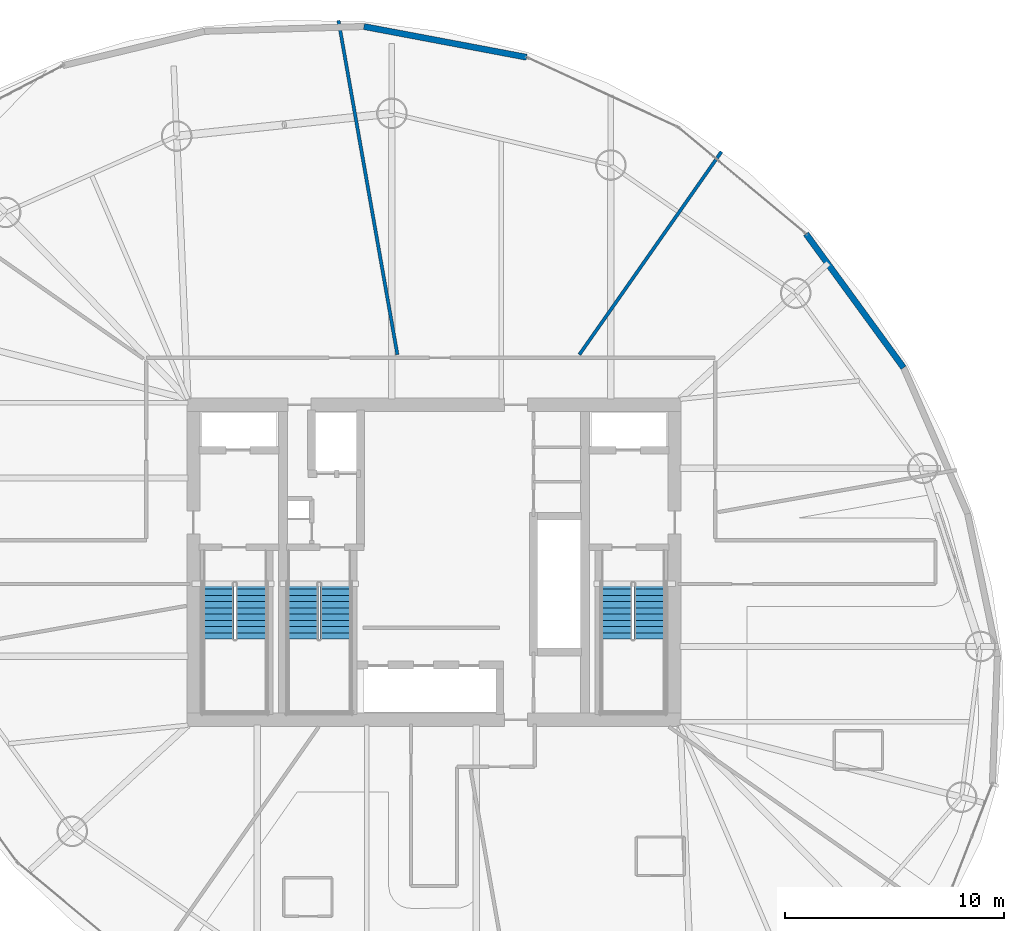
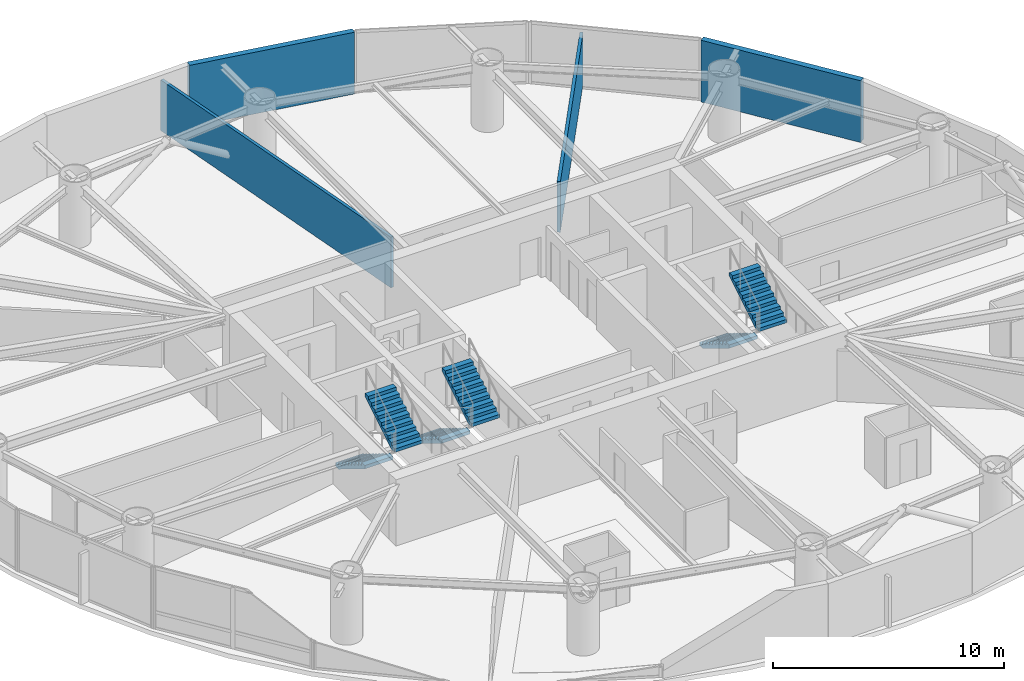
# One storey, part 20 of 23: 6 stair flights, 4 walls, 3 elements without a shape of their own.
"""IFC4 building model written with IfcOpenShell, lengths in metres."""

from ifc_helpers import new_model, si_unit, direction, frame, frame_2d, origin, place, context, subcontext, project, spatial, polyline, rectangle, outline, extrude, material, layer, layer_set, type_object, element, aggregate, save


model = new_model("IFC4")

# Units and contexts
model_context = context("Model", 3, precision=1e-05, world=origin(), true_north=direction((0.0, 1.0)))
body_context = subcontext(model_context, "Body", "Model", "MODEL_VIEW")
ifc_project = project(units=[si_unit("LENGTHUNIT", "METRE"), si_unit("AREAUNIT", "SQUARE_METRE"), si_unit("VOLUMEUNIT", "CUBIC_METRE"), si_unit("PLANEANGLEUNIT", "RADIAN"), si_unit("MASSUNIT", "GRAM", prefix="KILO")], contexts=[model_context])

# Site, building, storey
site_placement = place(None, origin())
site = spatial("IfcSite", under=ifc_project, at=site_placement, CompositionType="ELEMENT")
building_placement = place(site_placement, origin())
building = spatial("IfcBuilding", under=site, at=building_placement, Name="Bramvorn Convention Spire", CompositionType="ELEMENT")
storey_placement = place(building_placement, frame((0.0, 0.0, 158.800048828125)))
storey = spatial("IfcBuildingStorey", under=building, at=storey_placement, Name="L40", CompositionType="ELEMENT", Elevation=158.800048828125)

# Walls
ifc_material_1 = material(Name="Precast Concrete C40/50 with Bronze Terracotta Rainscreen", Category="masonry")
ifc_layer_1 = layer(ifc_material_1, 0.300048828125)
ifc_layer_set_1 = layer_set([ifc_layer_1], Name="Precast Concrete C40/50 with Bronze Terracotta Rainscreen - WL-EXT-BRONZE-300")
wall_type_1 = type_object("IfcWallType", Name="WL-EXT-BRONZE-300", PredefinedType="SOLIDWALL", material=ifc_layer_set_1)
wall_1_placement = place(storey_placement, frame((55.00341796875, 41.009033203125, 0.0), z_axis=(0.0, 0.0, 1.0), x_axis=(0.589222169275, -0.80797106089, 0.0)))
element("IfcWall", 1, at=wall_1_placement, inside=storey, type_object=wall_type_1, Name="L40 expressed bronze Gothic lancet pier wall 05", PredefinedType="SOLIDWALL", context=body_context, shape_type="SweptSolid", body=[
    extrude(rectangle(XDim=7.5693359375, YDim=0.280029296875, at=frame_2d((3.78466796875, 0.0))), origin(), (0.0, 0.0, 1.0), 3.260009765625),
])
wall_2_placement = place(storey_placement, frame((34.798583984375, 50.485595703125, 0.0), z_axis=(0.0, 0.0, 1.0), x_axis=(0.982608280237, -0.185690515669, 0.0)))
element("IfcWall", 2, at=wall_2_placement, inside=storey, type_object=wall_type_1, Name="L40 expressed bronze Gothic lancet pier wall 08", PredefinedType="SOLIDWALL", context=body_context, shape_type="SweptSolid", body=[
    extrude(rectangle(XDim=7.569091796875, YDim=0.280029296875, at=frame_2d((3.78466796875, 0.0))), origin(), (0.0, 0.0, 1.0), 3.260009765625),
])
ifc_material_2 = material(Name="Acoustic Metal-Stud Tenant/Corridor Partition", Category="gypsum")
ifc_layer_2 = layer(ifc_material_2, 0.14990234375)
ifc_layer_set_2 = layer_set([ifc_layer_2], Name="Acoustic Metal-Stud Tenant/Corridor Partition - WL-PART-150")
wall_type_2 = type_object("IfcWallType", Name="WL-PART-150", PredefinedType="PARTITIONING", material=ifc_layer_set_2)
wall_3_placement = place(storey_placement, frame((44.64501953125, 35.489990234375, 0.0), z_axis=(0.0, 0.0, 1.0), x_axis=(0.573578078788, 0.81915089424, 0.0)))
element("IfcWall", 3, at=wall_3_placement, inside=storey, type_object=wall_type_2, Name="L40 Guestroom demising wall 2", PredefinedType="PARTITIONING", context=body_context, shape_type="SweptSolid", body=[
    extrude(rectangle(XDim=11.325439453125, YDim=0.14990234375, at=frame_2d((5.66259765625, 0.0))), origin(), (0.0, 0.0, 1.0), 2.675048828125),
])
wall_4_placement = place(storey_placement, frame((36.32666015625, 35.489990234375, 0.0), z_axis=(0.0, 0.0, 1.0), x_axis=(-0.173641666611, 0.984808901065, 0.0)))
element("IfcWall", 4, at=wall_4_placement, inside=storey, type_object=wall_type_2, Name="L40 Guestroom demising wall 3", PredefinedType="PARTITIONING", context=body_context, shape_type="SweptSolid", body=[
    extrude(rectangle(XDim=15.510986328125, YDim=0.14990234375, at=frame_2d((7.75537109375, 0.0))), origin(), (0.0, 0.0, 1.0), 2.675048828125),
])

# Stair, stair flights
ifc_material_3 = material(Name="Concrete C40/50 Precast Stair", Category="concrete")
stair_type = type_object("IfcStairType", Name="ST-TOWER-1550", PredefinedType="HALF_TURN_STAIR", material=ifc_material_3)
stair_1_placement = place(storey_placement, origin())
stair_1 = element("IfcStair", 5, at=stair_1_placement, inside=storey, type_object=stair_type, Name="L40 Protected Exit Stair ST1", PredefinedType="HALF_TURN_STAIR")
ifc_material_4 = material(Name="Concrete C40/50 Precast Stair Flight", Category="concrete")
stair_flight_type = type_object("IfcStairFlightType", Name="STF-TOWER-1550", PredefinedType="STRAIGHT", material=ifc_material_4)
stair_flight_1_placement = place(storey_placement, frame((28.155029296875, 25.050048828125, 0.0), z_axis=(0.0, 0.0, 1.0), x_axis=(0.0, -1.0, 0.0)))
stair_flight_1 = element("IfcStairFlight", 6, at=stair_flight_1_placement, type_object=stair_flight_type, Name="ST1 flight 1", NumberOfRisers=10, NumberOfTreads=9, PredefinedType="STRAIGHT", RiserHeight=0.175, TreadLength=0.285, context=body_context, shape_type="SweptSolid", body=[
    extrude(outline(polyline([(0.0, 0.0), (0.0, 0.175048828125), (0.284912109375, 0.175048828125), (0.284912109375, 0.35009765625), (0.570068359375, 0.35009765625), (0.570068359375, 0.52490234375), (0.85498046875, 0.52490234375), (0.85498046875, 0.699951171875), (1.139892578125, 0.699951171875), (1.139892578125, 0.875), (1.425048828125, 0.875), (1.425048828125, 1.050048828125), (1.7099609375, 1.050048828125), (1.7099609375, 1.22509765625), (1.9951171875, 1.22509765625), (1.9951171875, 1.39990234375), (2.280029296875, 1.39990234375), (2.280029296875, 1.574951171875), (2.56494140625, 1.574951171875), (2.56494140625, 1.75), (2.56494140625, 1.399169921875), (0.286376953125, 0.0), (0.0, 0.0)])), frame((0.0, 0.705078125, 0.0), z_axis=(0.0, -1.0, 0.0), x_axis=(1.0, 0.0, 0.0)), (0.0, 0.0, 1.0), 1.409912109375),
])
stair_flight_2_placement = place(storey_placement, frame((29.64501953125, 22.485107421875, 1.75), z_axis=(0.0, 0.0, 1.0), x_axis=(0.0, 1.0, 0.0)))
stair_flight_2 = element("IfcStairFlight", 7, at=stair_flight_2_placement, type_object=stair_flight_type, Name="ST1 flight 2", NumberOfRisers=10, NumberOfTreads=9, PredefinedType="STRAIGHT", RiserHeight=0.175, TreadLength=0.285, context=body_context, shape_type="SweptSolid", body=[
    extrude(outline(polyline([(0.0, 0.0), (0.0, 0.175048828125), (0.284912109375, 0.175048828125), (0.284912109375, 0.35009765625), (0.570068359375, 0.35009765625), (0.570068359375, 0.52490234375), (0.85498046875, 0.52490234375), (0.85498046875, 0.699951171875), (1.139892578125, 0.699951171875), (1.139892578125, 0.875), (1.425048828125, 0.875), (1.425048828125, 1.050048828125), (1.7099609375, 1.050048828125), (1.7099609375, 1.22509765625), (1.9951171875, 1.22509765625), (1.9951171875, 1.39990234375), (2.280029296875, 1.39990234375), (2.280029296875, 1.574951171875), (2.56494140625, 1.574951171875), (2.56494140625, 1.75), (2.56494140625, 1.399169921875), (0.286376953125, 0.0), (0.0, 0.0)])), frame((0.0, 0.705078125, 0.0), z_axis=(0.0, -1.0, 0.0), x_axis=(1.0, 0.0, 0.0)), (0.0, 0.0, 1.0), 1.409912109375),
])
aggregate(stair_1, [stair_flight_1, stair_flight_2])

stair_2_placement = place(storey_placement, origin())
stair_2 = element("IfcStair", 8, at=stair_2_placement, inside=storey, type_object=stair_type, Name="L40 Protected Exit Stair ST2", PredefinedType="HALF_TURN_STAIR")
stair_flight_3_placement = place(storey_placement, frame((46.35498046875, 25.050048828125, 0.0), z_axis=(0.0, 0.0, 1.0), x_axis=(0.0, -1.0, 0.0)))
stair_flight_3 = element("IfcStairFlight", 9, at=stair_flight_3_placement, type_object=stair_flight_type, Name="ST2 flight 1", NumberOfRisers=10, NumberOfTreads=9, PredefinedType="STRAIGHT", RiserHeight=0.175, TreadLength=0.285, context=body_context, shape_type="SweptSolid", body=[
    extrude(outline(polyline([(0.0, 0.0), (0.0, 0.175048828125), (0.284912109375, 0.175048828125), (0.284912109375, 0.35009765625), (0.570068359375, 0.35009765625), (0.570068359375, 0.52490234375), (0.85498046875, 0.52490234375), (0.85498046875, 0.699951171875), (1.139892578125, 0.699951171875), (1.139892578125, 0.875), (1.425048828125, 0.875), (1.425048828125, 1.050048828125), (1.7099609375, 1.050048828125), (1.7099609375, 1.22509765625), (1.9951171875, 1.22509765625), (1.9951171875, 1.39990234375), (2.280029296875, 1.39990234375), (2.280029296875, 1.574951171875), (2.56494140625, 1.574951171875), (2.56494140625, 1.75), (2.56494140625, 1.399169921875), (0.286376953125, 0.0), (0.0, 0.0)])), frame((0.0, 0.705078125, 0.0), z_axis=(0.0, -1.0, 0.0), x_axis=(1.0, 0.0, 0.0)), (0.0, 0.0, 1.0), 1.409912109375),
])
stair_flight_4_placement = place(storey_placement, frame((47.844970703125, 22.485107421875, 1.75), z_axis=(0.0, 0.0, 1.0), x_axis=(0.0, 1.0, 0.0)))
stair_flight_4 = element("IfcStairFlight", 10, at=stair_flight_4_placement, type_object=stair_flight_type, Name="ST2 flight 2", NumberOfRisers=10, NumberOfTreads=9, PredefinedType="STRAIGHT", RiserHeight=0.175, TreadLength=0.285, context=body_context, shape_type="SweptSolid", body=[
    extrude(outline(polyline([(0.0, 0.0), (0.0, 0.175048828125), (0.284912109375, 0.175048828125), (0.284912109375, 0.35009765625), (0.570068359375, 0.35009765625), (0.570068359375, 0.52490234375), (0.85498046875, 0.52490234375), (0.85498046875, 0.699951171875), (1.139892578125, 0.699951171875), (1.139892578125, 0.875), (1.425048828125, 0.875), (1.425048828125, 1.050048828125), (1.7099609375, 1.050048828125), (1.7099609375, 1.22509765625), (1.9951171875, 1.22509765625), (1.9951171875, 1.39990234375), (2.280029296875, 1.39990234375), (2.280029296875, 1.574951171875), (2.56494140625, 1.574951171875), (2.56494140625, 1.75), (2.56494140625, 1.399169921875), (0.286376953125, 0.0), (0.0, 0.0)])), frame((0.0, 0.705078125, 0.0), z_axis=(0.0, -1.0, 0.0), x_axis=(1.0, 0.0, 0.0)), (0.0, 0.0, 1.0), 1.409912109375),
])
aggregate(stair_2, [stair_flight_3, stair_flight_4])

stair_3_placement = place(storey_placement, origin())
stair_3 = element("IfcStair", 11, at=stair_3_placement, inside=storey, type_object=stair_type, Name="L40 Protected Exit Stair ST3", PredefinedType="HALF_TURN_STAIR")
stair_flight_5_placement = place(storey_placement, frame((32.0048828125, 25.050048828125, 0.0), z_axis=(0.0, 0.0, 1.0), x_axis=(0.0, -1.0, 0.0)))
stair_flight_5 = element("IfcStairFlight", 12, at=stair_flight_5_placement, type_object=stair_flight_type, Name="ST3 flight 1", NumberOfRisers=10, NumberOfTreads=9, PredefinedType="STRAIGHT", RiserHeight=0.175, TreadLength=0.285, context=body_context, shape_type="SweptSolid", body=[
    extrude(outline(polyline([(0.0, 0.0), (0.0, 0.175048828125), (0.284912109375, 0.175048828125), (0.284912109375, 0.35009765625), (0.570068359375, 0.35009765625), (0.570068359375, 0.52490234375), (0.85498046875, 0.52490234375), (0.85498046875, 0.699951171875), (1.139892578125, 0.699951171875), (1.139892578125, 0.875), (1.425048828125, 0.875), (1.425048828125, 1.050048828125), (1.7099609375, 1.050048828125), (1.7099609375, 1.22509765625), (1.9951171875, 1.22509765625), (1.9951171875, 1.39990234375), (2.280029296875, 1.39990234375), (2.280029296875, 1.574951171875), (2.56494140625, 1.574951171875), (2.56494140625, 1.75), (2.56494140625, 1.399169921875), (0.286376953125, 0.0), (0.0, 0.0)])), frame((0.0, 0.705078125, 0.0), z_axis=(0.0, -1.0, 0.0), x_axis=(1.0, 0.0, 0.0)), (0.0, 0.0, 1.0), 1.409912109375),
])
stair_flight_6_placement = place(storey_placement, frame((33.4951171875, 22.485107421875, 1.75), z_axis=(0.0, 0.0, 1.0), x_axis=(0.0, 1.0, 0.0)))
stair_flight_6 = element("IfcStairFlight", 13, at=stair_flight_6_placement, type_object=stair_flight_type, Name="ST3 flight 2", NumberOfRisers=10, NumberOfTreads=9, PredefinedType="STRAIGHT", RiserHeight=0.175, TreadLength=0.285, context=body_context, shape_type="SweptSolid", body=[
    extrude(outline(polyline([(0.0, 0.0), (0.0, 0.175048828125), (0.284912109375, 0.175048828125), (0.284912109375, 0.35009765625), (0.570068359375, 0.35009765625), (0.570068359375, 0.52490234375), (0.85498046875, 0.52490234375), (0.85498046875, 0.699951171875), (1.139892578125, 0.699951171875), (1.139892578125, 0.875), (1.425048828125, 0.875), (1.425048828125, 1.050048828125), (1.7099609375, 1.050048828125), (1.7099609375, 1.22509765625), (1.9951171875, 1.22509765625), (1.9951171875, 1.39990234375), (2.280029296875, 1.39990234375), (2.280029296875, 1.574951171875), (2.56494140625, 1.574951171875), (2.56494140625, 1.75), (2.56494140625, 1.399169921875), (0.286376953125, 0.0), (0.0, 0.0)])), frame((0.0, 0.705078125, 0.0), z_axis=(0.0, -1.0, 0.0), x_axis=(1.0, 0.0, 0.0)), (0.0, 0.0, 1.0), 1.409912109375),
])
aggregate(stair_3, [stair_flight_5, stair_flight_6])

save(model, "model.ifc")
